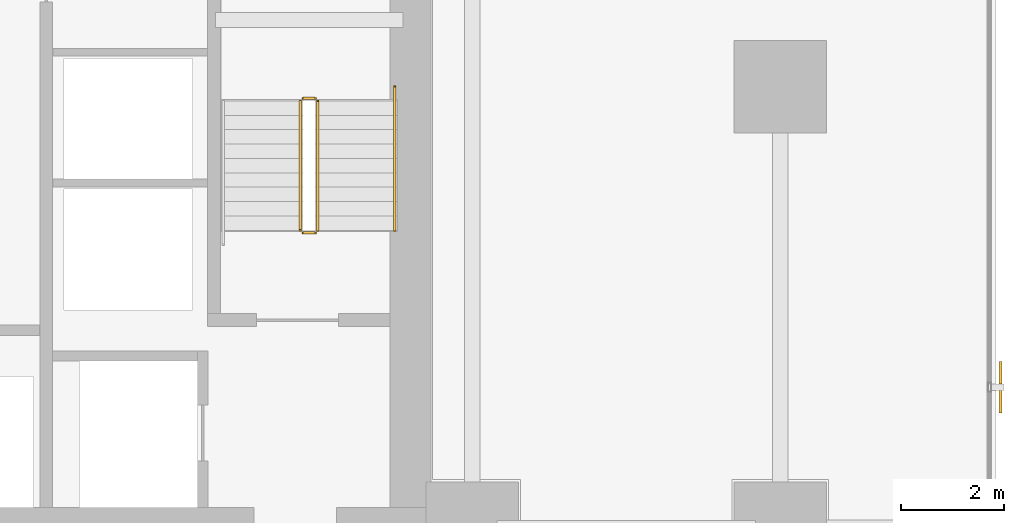
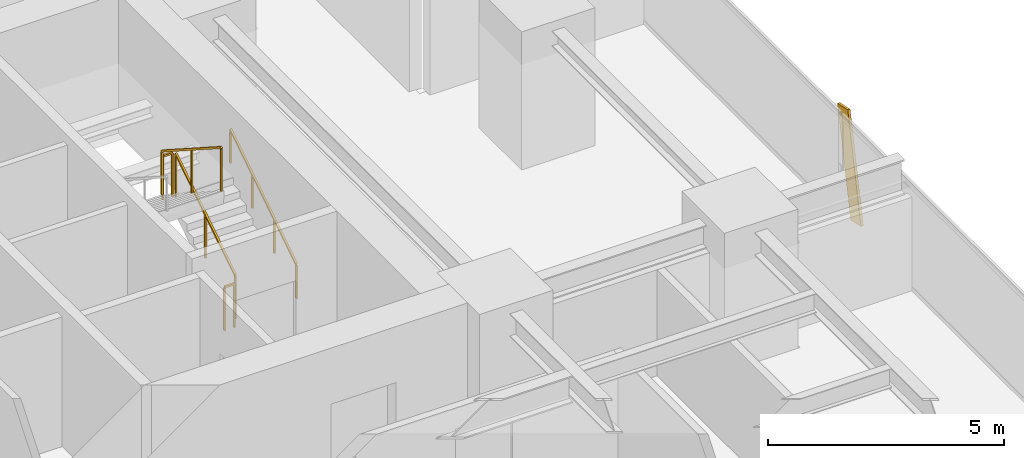
# One storey, part 32 of 33: 5 railings, 1 shading device.
"""IFC4 building model written with IfcOpenShell, lengths in metres."""

from ifc_helpers import new_model, si_unit, direction, frame, origin, origin_2d, place, context, subcontext, project, spatial, rectangle, extrude, source, transform, mapped, material, material_profile, profile_set, type_object, element, save


model = new_model("IFC4")

# Units and contexts
model_context = context("Model", 3, precision=1e-05, world=origin(), true_north=direction((0.0, 1.0)))
body_context = subcontext(model_context, "Body", "Model", "MODEL_VIEW")
ifc_project = project(units=[si_unit("LENGTHUNIT", "METRE"), si_unit("AREAUNIT", "SQUARE_METRE"), si_unit("VOLUMEUNIT", "CUBIC_METRE"), si_unit("PLANEANGLEUNIT", "RADIAN"), si_unit("MASSUNIT", "GRAM", prefix="KILO")], contexts=[model_context])

# Site, building, storey
site_placement = place(None, origin())
site = spatial("IfcSite", under=ifc_project, at=site_placement, CompositionType="ELEMENT")
building_placement = place(site_placement, origin())
building = spatial("IfcBuilding", under=site, at=building_placement, Name="Sumidabori Civic Tower", CompositionType="ELEMENT")
storey_placement = place(building_placement, frame((0.0, 0.0, 63.199951171875)))
storey = spatial("IfcBuildingStorey", under=building, at=storey_placement, Name="L16", CompositionType="ELEMENT", Elevation=63.199951171875)

# Railings
ifc_material_1 = material(Name="Stainless Steel Hairline Finish", Category="steel")
railing_type_1 = type_object("IfcRailingType", Name="RL-HANDRAIL", PredefinedType="HANDRAIL", material=ifc_material_1)
railing_1_placement = place(storey_placement, frame((15.2900390625, 16.0, 0.179931640625)))
element("IfcRailing", 1, at=railing_1_placement, inside=storey, type_object=railing_type_1, Name="L16 ST-2 stair handrail 1", PredefinedType="HANDRAIL", context=body_context, shape_type="SweptSolid", body=[
    extrude(rectangle(XDim=0.048095703125, YDim=0.048095703125, at=origin_2d()), frame((0.0, 0.0, 0.8759765625), z_axis=(0.0, 0.84064222762, 0.54159084662), x_axis=(-1.0, 0.0, 0.0)), (0.0, 0.0, 1.0), 3.330810546875),
    extrude(rectangle(XDim=0.0419921875, YDim=0.0419921875, at=origin_2d()), origin(), (0.0, 0.0, 1.0), 0.851806640625),
    extrude(rectangle(XDim=0.0419921875, YDim=0.0419921875, at=origin_2d()), frame((0.0, 0.933349609375, 0.601318359375)), (0.0, 0.0, 1.0), 0.851806640625),
    extrude(rectangle(XDim=0.0419921875, YDim=0.0419921875, at=origin_2d()), frame((0.0, 1.86669921875, 1.20263671875)), (0.0, 0.0, 1.0), 0.851806640625),
    extrude(rectangle(XDim=0.0419921875, YDim=0.0419921875, at=origin_2d()), frame((0.0, 2.800048828125, 1.803955078125)), (0.0, 0.0, 1.0), 0.851806640625),
])
ifc_material_2 = material(Name="Steel SN490", Category="steel")
railing_type_2 = type_object("IfcRailingType", Name="RL-STAIR-GUARD", PredefinedType="GUARDRAIL", material=ifc_material_2)
railing_2_placement = place(storey_placement, frame((13.7900390625, 16.0, 0.179931640625)))
element("IfcRailing", 2, at=railing_2_placement, inside=storey, type_object=railing_type_2, Name="L16 ST-2 stair guard 1", PredefinedType="GUARDRAIL", context=body_context, shape_type="SweptSolid", body=[
    extrude(rectangle(XDim=0.048095703125, YDim=0.048095703125, at=origin_2d()), frame((0.0, 0.0, 1.1259765625), z_axis=(0.0, 0.841162588446, 0.540782303519), x_axis=(-1.0, 0.0, 0.0)), (0.0, 0.0, 1.0), 2.995849609375),
    extrude(rectangle(XDim=0.0419921875, YDim=0.0419921875, at=origin_2d()), origin(), (0.0, 0.0, 1.0), 1.101806640625),
    extrude(rectangle(XDim=0.0419921875, YDim=0.0419921875, at=origin_2d()), frame((0.0, 1.260009765625, 0.81005859375)), (0.0, 0.0, 1.0), 1.101806640625),
    extrude(rectangle(XDim=0.0419921875, YDim=0.0419921875, at=origin_2d()), frame((0.0, 2.52001953125, 1.6201171875)), (0.0, 0.0, 1.0), 1.101806640625),
])
railing_3_placement = place(storey_placement, frame((13.739990234375, 18.570068359375, 1.800048828125)))
element("IfcRailing", 3, at=railing_3_placement, inside=storey, type_object=railing_type_2, Name="L16 ST-2 stair guard 2", PredefinedType="GUARDRAIL", context=body_context, shape_type="SweptSolid", body=[
    extrude(rectangle(XDim=0.048095703125, YDim=0.048095703125, at=origin_2d()), frame((0.0, 0.0, 1.1259765625), z_axis=(-1.0, 0.0, 0.0), x_axis=(0.0, -1.0, 0.0)), (0.0, 0.0, 1.0), 0.239990234375),
    extrude(rectangle(XDim=0.0419921875, YDim=0.0419921875, at=origin_2d()), origin(), (0.0, 0.0, 1.0), 1.101806640625),
    extrude(rectangle(XDim=0.0419921875, YDim=0.0419921875, at=origin_2d()), frame((-0.239990234375, 0.0, 0.0)), (0.0, 0.0, 1.0), 1.101806640625),
])
railing_4_placement = place(storey_placement, frame((13.449951171875, 18.52001953125, 1.97998046875)))
element("IfcRailing", 4, at=railing_4_placement, inside=storey, type_object=railing_type_2, Name="L16 ST-2 stair guard 3", PredefinedType="GUARDRAIL", context=body_context, shape_type="SweptSolid", body=[
    extrude(rectangle(XDim=0.048095703125, YDim=0.048095703125, at=origin_2d()), frame((0.0, 0.0, 1.1259765625), z_axis=(0.0, -0.841162588446, 0.540782303519), x_axis=(1.0, 0.0, 0.0)), (0.0, 0.0, 1.0), 2.995849609375),
    extrude(rectangle(XDim=0.0419921875, YDim=0.0419921875, at=origin_2d()), origin(), (0.0, 0.0, 1.0), 1.101806640625),
    extrude(rectangle(XDim=0.0419921875, YDim=0.0419921875, at=origin_2d()), frame((0.0, -1.260009765625, 0.81005859375)), (0.0, 0.0, 1.0), 1.101806640625),
    extrude(rectangle(XDim=0.0419921875, YDim=0.0419921875, at=origin_2d()), frame((0.0, -2.52001953125, 1.6201171875)), (0.0, 0.0, 1.0), 1.101806640625),
])
railing_5_placement = place(storey_placement, frame((13.739990234375, 15.949951171875, 0.0)))
element("IfcRailing", 5, at=railing_5_placement, inside=storey, type_object=railing_type_2, Name="L16 ST-2 stair guard 4", PredefinedType="GUARDRAIL", context=body_context, shape_type="SweptSolid", body=[
    extrude(rectangle(XDim=0.048095703125, YDim=0.048095703125, at=origin_2d()), frame((0.0, 0.0, 1.1259765625), z_axis=(-1.0, 0.0, 0.0), x_axis=(0.0, -1.0, 0.0)), (0.0, 0.0, 1.0), 0.239990234375),
    extrude(rectangle(XDim=0.0419921875, YDim=0.0419921875, at=origin_2d()), origin(), (0.0, 0.0, 1.0), 1.101806640625),
    extrude(rectangle(XDim=0.0419921875, YDim=0.0419921875, at=origin_2d()), frame((-0.239990234375, 0.0, 0.0)), (0.0, 0.0, 1.0), 1.101806640625),
])

# Shading device
ifc_material_3 = material(Name="Anodised Bronze Aluminium AW-6063-T6", Category="aluminium")
ifc_material_profile = material_profile(ifc_material_3, rectangle(XDim=0.06005859375, YDim=0.449951171875, at=origin_2d()), Name="BRONZE FIN 450x60")
ifc_profile_set = profile_set([ifc_material_profile], Name="Anodised Bronze Aluminium AW-6063-T6")
shading_device_type = type_object("IfcShadingDeviceType", Name="SH-FIN-450", PredefinedType="USERDEFINED", material=ifc_profile_set)
shared_shape = source(origin(), body_context, "Body", "SweptSolid", [
    extrude(rectangle(XDim=0.06005859375, YDim=0.449951171875, at=origin_2d()), origin(), (0.0, 0.0, 1.0), 2.73779296875),
])
shading_device_placement = place(storey_placement, frame((27.090087890625, 12.662109375, 0.02001953125), z_axis=(0.0, 0.204477700022, 0.978871222477), x_axis=(-1.0, 0.0, 0.0)))
element("IfcShadingDevice", 6, at=shading_device_placement, inside=storey, type_object=shading_device_type, Name="Bronze Anodised Diagonal Fin L16-04", ObjectType="FIN", PredefinedType="USERDEFINED", context=body_context, shape_type="MappedRepresentation", body=[
    mapped(shared_shape, transform((0.0, 0.0, 0.0), x_axis=(1.0, 0.0, 0.0), y_axis=(0.0, 1.0, 0.0), z_axis=(0.0, 0.0, 1.0), scale=1.0)),
])

save(model, "model.ifc")
